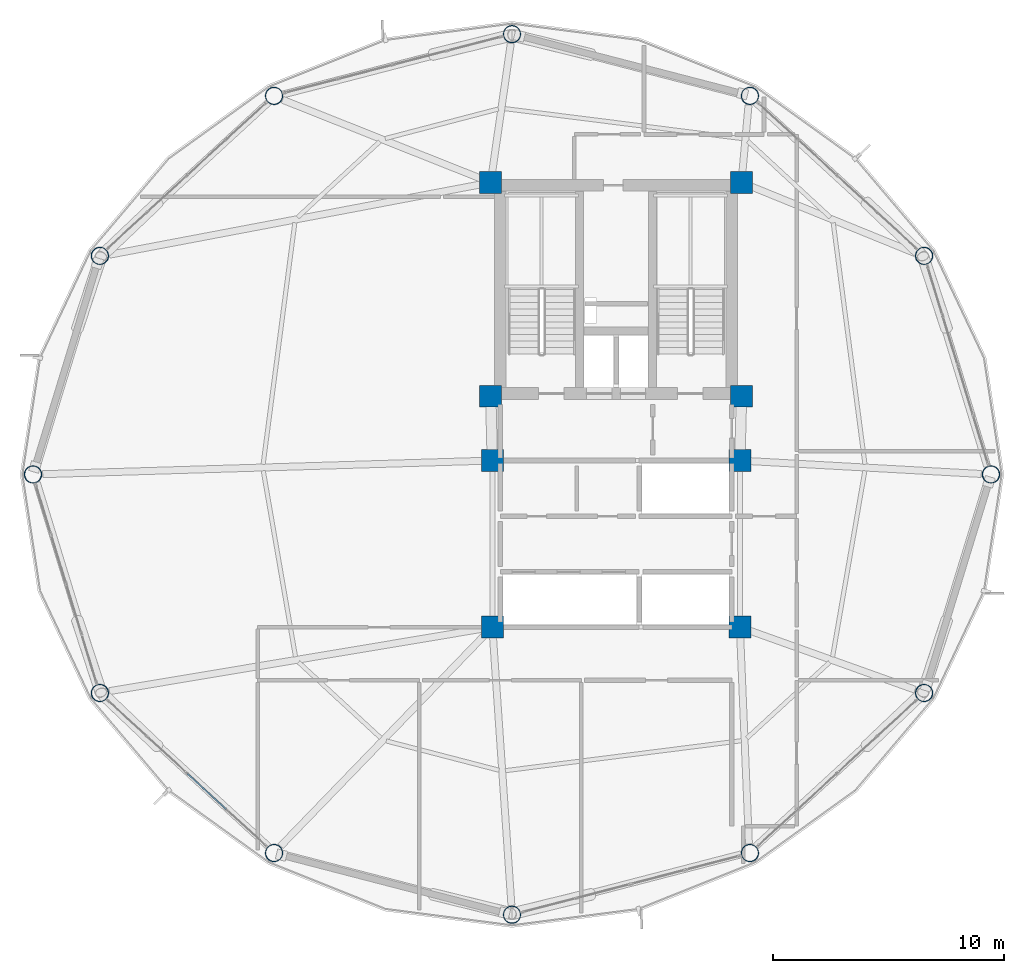
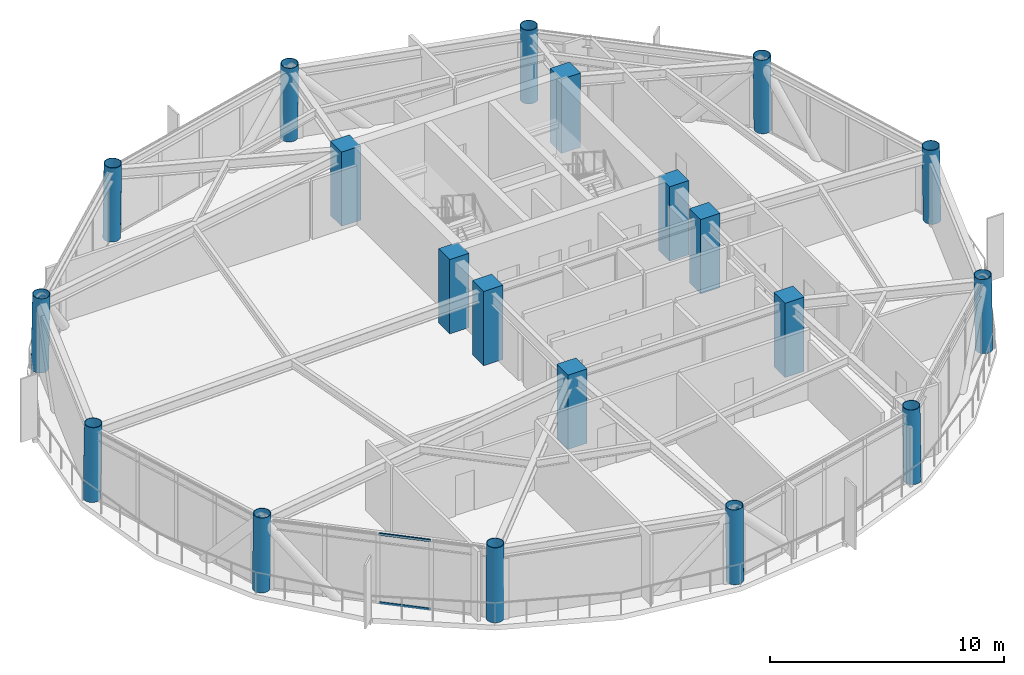
# One storey, part 1 of 26: 20 columns, 2 members, 1 element without a shape of its own.
"""IFC4 building model written with IfcOpenShell, lengths in metres."""

from ifc_helpers import new_model, si_unit, direction, frame, origin, origin_2d, place, context, subcontext, project, spatial, rectangle, hollow_rectangle, hollow_circle, extrude, material, layer, layer_set, material_profile, profile_set, type_object, element, aggregate, save


model = new_model("IFC4")

# Units and contexts
model_context = context("Model", 3, precision=1e-05, world=origin(), true_north=direction((0.0, 1.0)))
body_context = subcontext(model_context, "Body", "Model", "MODEL_VIEW")
ifc_project = project(units=[si_unit("LENGTHUNIT", "METRE"), si_unit("AREAUNIT", "SQUARE_METRE"), si_unit("VOLUMEUNIT", "CUBIC_METRE"), si_unit("PLANEANGLEUNIT", "RADIAN"), si_unit("MASSUNIT", "GRAM", prefix="KILO")], contexts=[model_context])

# Site, building, storey
site_placement = place(None, origin())
site = spatial("IfcSite", under=ifc_project, at=site_placement, CompositionType="ELEMENT")
building_placement = place(site_placement, origin())
building = spatial("IfcBuilding", under=site, at=building_placement, Name="Varnakorn Sky Granary", CompositionType="ELEMENT")
storey_placement = place(building_placement, frame((0.0, 0.0, 153.89990234375)))
storey = spatial("IfcBuildingStorey", under=building, at=storey_placement, Name="L38", CompositionType="ELEMENT", Elevation=153.89990234375)

# Columns
ifc_material_1 = material(Name="Steel S460M", Category="steel")
ifc_material_profile_1 = material_profile(ifc_material_1, hollow_circle(Radius=0.381103515625, WallThickness=0.028076171875, at=origin_2d()), Name="CHS 762x28")
ifc_profile_set_1 = profile_set([ifc_material_profile_1], Name="Steel S460M")
column_type_1 = type_object("IfcColumnType", Name="COL-DC-Z3", PredefinedType="COLUMN", material=ifc_profile_set_1)
for number, where, z_axis, x_axis, name in (
    (1, (19.217041015625, 0.0, 0.0), (-0.017323508859, 0.0, 0.999849936761), (0.0, -1.0, 0.0), "Drum Perimeter Column DC01 L38"),
    (2, (16.324462890625, 9.452392578125, 0.0), (-0.014930018255, -0.006047602331, 0.999870252113), (0.375432762448, -0.926849632293, 0.0), "Drum Perimeter Column DC02 L38"),
):
    element("IfcColumn", number, at=place(storey_placement, frame(where, z_axis=z_axis, x_axis=x_axis)), inside=storey, type_object=column_type_1, Name=name, PredefinedType="COLUMN", context=body_context, shape_type="SweptSolid", body=[
        extrude(hollow_circle(Radius=0.381103515625, WallThickness=0.028076171875, at=origin_2d()), origin(), (0.0, 0.0, 1.0), 3.87548828125),
    ])
for number, where, z_axis, x_axis, name in (
    (3, (8.791015625, 16.372314453125, 0.0), (-0.008630753208, -0.010520699166, 0.999907408207), (0.773131577433, -0.634245665319, 0.0), "Drum Perimeter Column DC03 L38"),
    (4, (-1.5, 19.0400390625, 0.0), (0.0, -0.012158879352, 0.999926078094), (1.0, 0.0, 0.0), "Drum Perimeter Column DC04 L38"),
    (5, (-11.791015625, 16.372314453125, 0.0), (0.008630753208, -0.010520699166, 0.999907408207), (0.773131577433, 0.634245665319, 0.0), "Drum Perimeter Column DC05 L38"),
):
    element("IfcColumn", number, at=place(storey_placement, frame(where, z_axis=z_axis, x_axis=x_axis)), inside=storey, type_object=column_type_1, Name=name, PredefinedType="COLUMN", context=body_context, shape_type="SweptSolid", body=[
        extrude(hollow_circle(Radius=0.381103515625, WallThickness=0.028076171875, at=origin_2d()), origin(), (0.0, 0.0, 1.0), 3.875244140625),
    ])
for number, where, z_axis, x_axis, name in (
    (6, (-19.324462890625, 9.452392578125, 0.0), (0.014930018255, -0.006047602331, 0.999870252113), (0.375432762448, 0.926849632293, 0.0), "Drum Perimeter Column DC06 L38"),
    (7, (-22.217041015625, 0.0, 0.0), (0.017323508859, 0.0, 0.999849936761), (0.0, 1.0, 0.0), "Drum Perimeter Column DC07 L38"),
    (8, (-19.324462890625, -9.452392578125, 0.0), (0.014930018255, 0.006047602331, 0.999870252113), (-0.375432762448, 0.926849632293, 0.0), "Drum Perimeter Column DC08 L38"),
):
    element("IfcColumn", number, at=place(storey_placement, frame(where, z_axis=z_axis, x_axis=x_axis)), inside=storey, type_object=column_type_1, Name=name, PredefinedType="COLUMN", context=body_context, shape_type="SweptSolid", body=[
        extrude(hollow_circle(Radius=0.381103515625, WallThickness=0.028076171875, at=origin_2d()), origin(), (0.0, 0.0, 1.0), 3.87548828125),
    ])
for number, where, z_axis, x_axis, name in (
    (9, (-11.791015625, -16.372314453125, 0.0), (0.008630753208, 0.010520699166, 0.999907408207), (-0.773131577433, 0.634245665319, 0.0), "Drum Perimeter Column DC09 L38"),
    (10, (-1.5, -19.0400390625, 0.0), (0.0, 0.012158879352, 0.999926078094), (-1.0, 0.0, 0.0), "Drum Perimeter Column DC10 L38"),
    (11, (8.791015625, -16.372314453125, 0.0), (-0.008630753208, 0.010520699166, 0.999907408207), (-0.773131577433, -0.634245665319, 0.0), "Drum Perimeter Column DC11 L38"),
):
    element("IfcColumn", number, at=place(storey_placement, frame(where, z_axis=z_axis, x_axis=x_axis)), inside=storey, type_object=column_type_1, Name=name, PredefinedType="COLUMN", context=body_context, shape_type="SweptSolid", body=[
        extrude(hollow_circle(Radius=0.381103515625, WallThickness=0.028076171875, at=origin_2d()), origin(), (0.0, 0.0, 1.0), 3.875244140625),
    ])
column_placement = place(storey_placement, frame((16.324462890625, -9.452392578125, 0.0), z_axis=(-0.014930018255, 0.006047602331, 0.999870252113), x_axis=(-0.375432762448, -0.926849632293, 0.0)))
element("IfcColumn", 12, at=column_placement, inside=storey, type_object=column_type_1, Name="Drum Perimeter Column DC12 L38", PredefinedType="COLUMN", context=body_context, shape_type="SweptSolid", body=[
    extrude(hollow_circle(Radius=0.381103515625, WallThickness=0.028076171875, at=origin_2d()), origin(), (0.0, 0.0, 1.0), 3.87548828125),
])
ifc_material_2 = material(Name="Concrete C50/60", Category="concrete")
ifc_material_profile_2 = material_profile(ifc_material_2, rectangle(XDim=0.949951171875, YDim=0.949951171875, at=origin_2d()), Name="RC 950x950")
ifc_profile_set_2 = profile_set([ifc_material_profile_2], Name="Concrete C50/60")
column_type_2 = type_object("IfcColumnType", Name="COL-MC-Z3", PredefinedType="COLUMN", material=ifc_profile_set_2)
for number, where, z_axis, x_axis, name in (
    (13, (-2.419921875, 12.6201171875, 0.0), (0.0, 0.0, 1.0), (1.0, 0.0, 0.0), "Backbone Mega-Column MC1 L38"),
    (14, (8.419921875, 12.6201171875, 0.0), (0.0, 0.0, 1.0), (1.0, 0.0, 0.0), "Backbone Mega-Column MC2 L38"),
    (15, (-2.419921875, 3.3798828125, 0.0), (0.0, 0.0, 1.0), (1.0, 0.0, 0.0), "Backbone Mega-Column MC3 L38"),
    (16, (8.419921875, 3.3798828125, 0.0), (0.0, 0.0, 1.0), (1.0, 0.0, 0.0), "Backbone Mega-Column MC4 L38"),
    (17, (-2.35009765625, 0.60009765625, 0.0), (0.0, 0.0, 1.0), (1.0, 0.0, 0.0), "Backbone Mega-Column MC5 L38"),
    (18, (8.35009765625, 0.60009765625, 0.0), (0.0, 0.0, 1.0), (1.0, 0.0, 0.0), "Backbone Mega-Column MC6 L38"),
    (19, (-2.35009765625, -6.60009765625, 0.0), (0.0, 0.0, 1.0), (1.0, 0.0, 0.0), "Backbone Mega-Column MC7 L38"),
    (20, (8.35009765625, -6.60009765625, 0.0), (0.0, 0.0, 1.0), (1.0, 0.0, 0.0), "Backbone Mega-Column MC8 L38"),
):
    element("IfcColumn", number, at=place(storey_placement, frame(where, z_axis=z_axis, x_axis=x_axis)), inside=storey, type_object=column_type_2, Name=name, PredefinedType="COLUMN", context=body_context, shape_type="SweptSolid", body=[
        extrude(rectangle(XDim=0.949951171875, YDim=0.949951171875, at=origin_2d()), origin(), (0.0, 0.0, 1.0), 3.875),
    ])

# Curtain wall, members
ifc_material_3 = material(Name="Anodised Bronze Aluminium Alloy 6063-T6", Category="aluminium")
ifc_layer = layer(ifc_material_3, 0.179931640625, Name="Anodised Bronze Aluminium Alloy 6063-T6")
ifc_layer_set = layer_set([ifc_layer], Name="Anodised Bronze Aluminium Alloy 6063-T6")
curtain_wall_type = type_object("IfcCurtainWallType", Name="CW-FRM-2", PredefinedType="USERDEFINED", material=ifc_layer_set)
curtain_wall_placement = place(storey_placement, origin())
curtain_wall = element("IfcCurtainWall", 21, at=curtain_wall_placement, inside=storey, type_object=curtain_wall_type, Name="Unitised Curtain Wall CW4 CW-L38-B08", ObjectType="CURTAIN WALL", PredefinedType="USERDEFINED")
ifc_material_profile_3 = material_profile(ifc_material_3, hollow_rectangle(XDim=0.06494140625, YDim=0.1201171875, WallThickness=0.00341796875, at=origin_2d()), Name="ALU TRAN 65x120")
ifc_profile_set_3 = profile_set([ifc_material_profile_3], Name="Anodised Bronze Aluminium Alloy 6063-T6")
member_type = type_object("IfcMemberType", Name="CW-FRM-2-TRAN", PredefinedType="USERDEFINED", material=ifc_profile_set_3)
member_1_placement = place(storey_placement, frame((-13.862548828125, -14.469482421875, 0.03271484375), z_axis=(-0.736465278556, 0.676475345804, 0.0), x_axis=(-0.676475345804, -0.736465278556, 0.0)))
member_1 = element("IfcMember", 22, at=member_1_placement, type_object=member_type, Name="CW4 transom 2.1", ObjectType="TRANSOM", PredefinedType="USERDEFINED", context=body_context, shape_type="SweptSolid", body=[
    extrude(hollow_rectangle(XDim=0.06494140625, YDim=0.1201171875, WallThickness=0.00341796875, at=origin_2d()), origin(), (0.0, 0.0, 1.0), 2.266845703125),
])
member_2_placement = place(storey_placement, frame((-13.862548828125, -14.469482421875, 3.607666015625), z_axis=(-0.736465278556, 0.676475345804, 0.0), x_axis=(-0.676475345804, -0.736465278556, 0.0)))
member_2 = element("IfcMember", 23, at=member_2_placement, type_object=member_type, Name="CW4 transom 2.2", ObjectType="TRANSOM", PredefinedType="USERDEFINED", context=body_context, shape_type="SweptSolid", body=[
    extrude(hollow_rectangle(XDim=0.06494140625, YDim=0.1201171875, WallThickness=0.00341796875, at=origin_2d()), origin(), (0.0, 0.0, 1.0), 2.266845703125),
])
aggregate(curtain_wall, [member_1, member_2])

save(model, "model.ifc")
